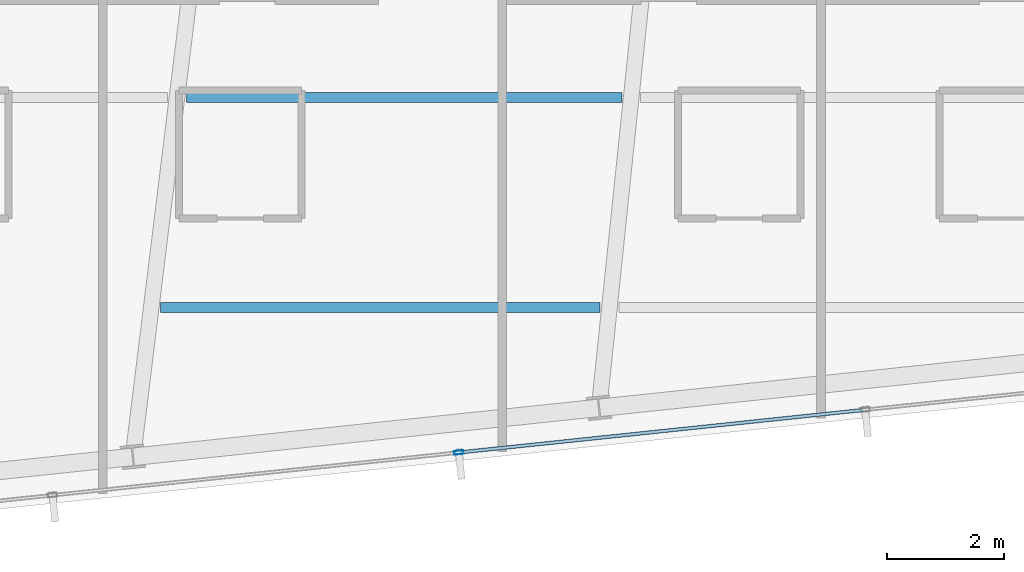
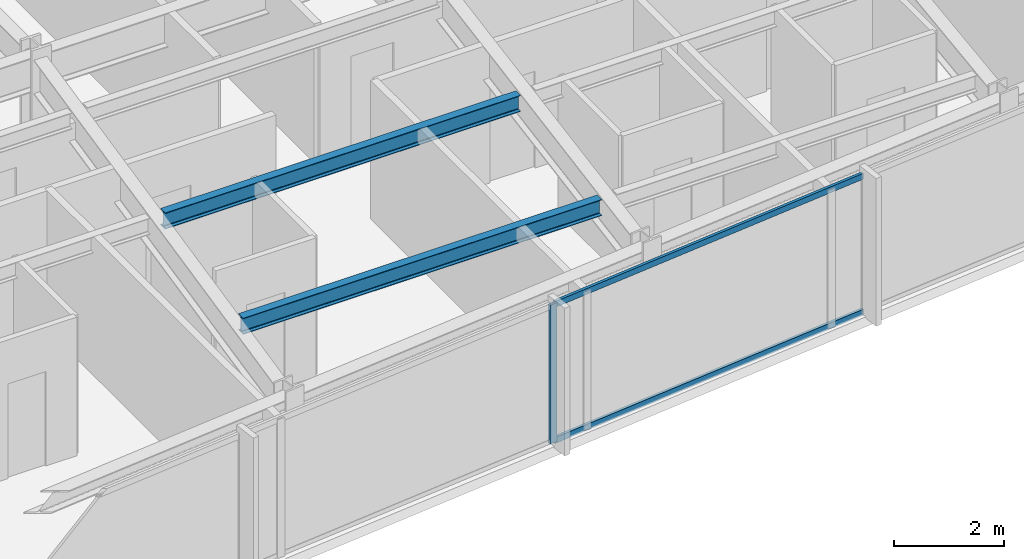
# One storey, part 7 of 33: 3 members, 2 beams, 1 element without a shape of its own.
"""IFC4 building model written with IfcOpenShell, lengths in metres."""

from ifc_helpers import new_model, si_unit, direction, frame, origin, origin_2d, place, context, subcontext, project, spatial, hollow_rectangle, i_section, extrude, material, material_profile, profile_set, type_object, element, aggregate, save


model = new_model("IFC4")

# Units and contexts
model_context = context("Model", 3, precision=1e-05, world=origin(), true_north=direction((0.0, 1.0)))
body_context = subcontext(model_context, "Body", "Model", "MODEL_VIEW")
ifc_project = project(units=[si_unit("LENGTHUNIT", "METRE"), si_unit("AREAUNIT", "SQUARE_METRE"), si_unit("VOLUMEUNIT", "CUBIC_METRE"), si_unit("PLANEANGLEUNIT", "RADIAN"), si_unit("MASSUNIT", "GRAM", prefix="KILO")], contexts=[model_context])

# Site, building, storey
site_placement = place(None, origin())
site = spatial("IfcSite", under=ifc_project, at=site_placement, CompositionType="ELEMENT")
building_placement = place(site_placement, origin())
building = spatial("IfcBuilding", under=site, at=building_placement, Name="Yelkora Congress Tower", CompositionType="ELEMENT")
storey_placement = place(building_placement, frame((0.0, 0.0, 227.60009765625)))
storey = spatial("IfcBuildingStorey", under=building, at=storey_placement, Name="L63", CompositionType="ELEMENT", Elevation=227.60009765625)

# Beams
ifc_material_1 = material(Name="Steel S355J2", Category="steel")
ifc_material_profile_1 = material_profile(ifc_material_1, i_section(OverallWidth=0.169921875, OverallDepth=0.360107421875, WebThickness=0.008056640625, FlangeThickness=0.0126953125, FilletRadius=0.01806640625, at=origin_2d()), Name="IPE 360")
ifc_profile_set_1 = profile_set([ifc_material_profile_1], Name="Steel S355J2")
beam_type = type_object("IfcBeamType", Name="BM-JOIST-IPE360", PredefinedType="JOIST", material=ifc_profile_set_1)
beam_1_placement = place(storey_placement, frame((29.76220703125, 16.07861328125, 2.89990234375), z_axis=(1.0, 0.0, 0.0), x_axis=(0.0, 1.0, 0.0)))
element("IfcBeam", 1, at=beam_1_placement, inside=storey, type_object=beam_type, Name="L63 Composite Floor Joist 1", PredefinedType="JOIST", context=body_context, shape_type="SweptSolid", body=[
    extrude(i_section(OverallWidth=0.169921875, OverallDepth=0.360107421875, WebThickness=0.008056640625, FlangeThickness=0.0126953125, FilletRadius=0.01806640625, at=origin_2d()), origin(), (0.0, 0.0, 1.0), 7.53369140625),
])
beam_2_placement = place(storey_placement, frame((30.203369140625, 19.678466796875, 2.89990234375), z_axis=(1.0, 0.0, 0.0), x_axis=(0.0, 1.0, 0.0)))
element("IfcBeam", 2, at=beam_2_placement, inside=storey, type_object=beam_type, Name="L63 Composite Floor Joist 4", PredefinedType="JOIST", context=body_context, shape_type="SweptSolid", body=[
    extrude(i_section(OverallWidth=0.169921875, OverallDepth=0.360107421875, WebThickness=0.008056640625, FlangeThickness=0.0126953125, FilletRadius=0.01806640625, at=origin_2d()), origin(), (0.0, 0.0, 1.0), 7.465087890625),
])

# Curtain wall, members
ifc_material_2 = material(Name="Anodised aluminium and insulated glass", Category="aluminium")
curtain_wall_type = type_object("IfcCurtainWallType", Name="CW-SYS-B4", PredefinedType="NOTDEFINED", material=ifc_material_2)
curtain_wall_placement = place(storey_placement, origin())
curtain_wall = element("IfcCurtainWall", 3, at=curtain_wall_placement, inside=storey, type_object=curtain_wall_type, Name="L63 Unitised Curtain Wall 20", PredefinedType="NOTDEFINED")
ifc_material_3 = material(Name="Anodised aluminium 6063-T6", Category="aluminium")
ifc_material_profile_2 = material_profile(ifc_material_3, hollow_rectangle(XDim=0.06494140625, YDim=0.159912109375, WallThickness=0.00390625, at=origin_2d()), Name="ALU 65x160x4")
ifc_profile_set_2 = profile_set([ifc_material_profile_2], Name="Anodised aluminium 6063-T6")
member_type_1 = type_object("IfcMemberType", Name="MEM-ML-B4", PredefinedType="MULLION", material=ifc_profile_set_2)
member_1_placement = place(storey_placement, frame((34.87353515625, 13.592529296875, 0.0), z_axis=(0.0, 0.0, 1.0), x_axis=(0.104526664994, -0.994522084373, 0.0)))
member_1 = element("IfcMember", 4, at=member_1_placement, type_object=member_type_1, Name="CW-B4 mullion 6", PredefinedType="MULLION", context=body_context, shape_type="SweptSolid", body=[
    extrude(hollow_rectangle(XDim=0.06494140625, YDim=0.159912109375, WallThickness=0.00390625, at=origin_2d()), origin(), (0.0, 0.0, 1.0), 3.079833984375),
])
ifc_material_profile_3 = material_profile(ifc_material_3, hollow_rectangle(XDim=0.06005859375, YDim=0.1298828125, WallThickness=0.00390625, at=origin_2d()), Name="ALU 60x130x4")
ifc_profile_set_3 = profile_set([ifc_material_profile_3], Name="Anodised aluminium 6063-T6")
member_type_2 = type_object("IfcMemberType", Name="MEM-TR-B4", PredefinedType="USERDEFINED", material=ifc_profile_set_3)
member_2_placement = place(storey_placement, frame((41.8056640625, 14.321044921875, 0.02978515625), z_axis=(-0.99452317859, -0.104516253509, 0.0), x_axis=(0.104516253509, -0.99452317859, 0.0)))
member_2 = element("IfcMember", 5, at=member_2_placement, type_object=member_type_2, Name="CW-B4 transom 5.1", ObjectType="TRANSOM", PredefinedType="USERDEFINED", context=body_context, shape_type="SweptSolid", body=[
    extrude(hollow_rectangle(XDim=0.06005859375, YDim=0.1298828125, WallThickness=0.00390625, at=origin_2d()), origin(), (0.0, 0.0, 1.0), 6.937744140625),
])
member_3_placement = place(storey_placement, frame((41.8056640625, 14.321044921875, 3.0498046875), z_axis=(-0.99452317859, -0.104516253509, 0.0), x_axis=(0.104516253509, -0.99452317859, 0.0)))
member_3 = element("IfcMember", 6, at=member_3_placement, type_object=member_type_2, Name="CW-B4 transom 5.2", ObjectType="TRANSOM", PredefinedType="USERDEFINED", context=body_context, shape_type="SweptSolid", body=[
    extrude(hollow_rectangle(XDim=0.06005859375, YDim=0.1298828125, WallThickness=0.00390625, at=origin_2d()), origin(), (0.0, 0.0, 1.0), 6.937744140625),
])
aggregate(curtain_wall, [member_1, member_2, member_3])

save(model, "model.ifc")
